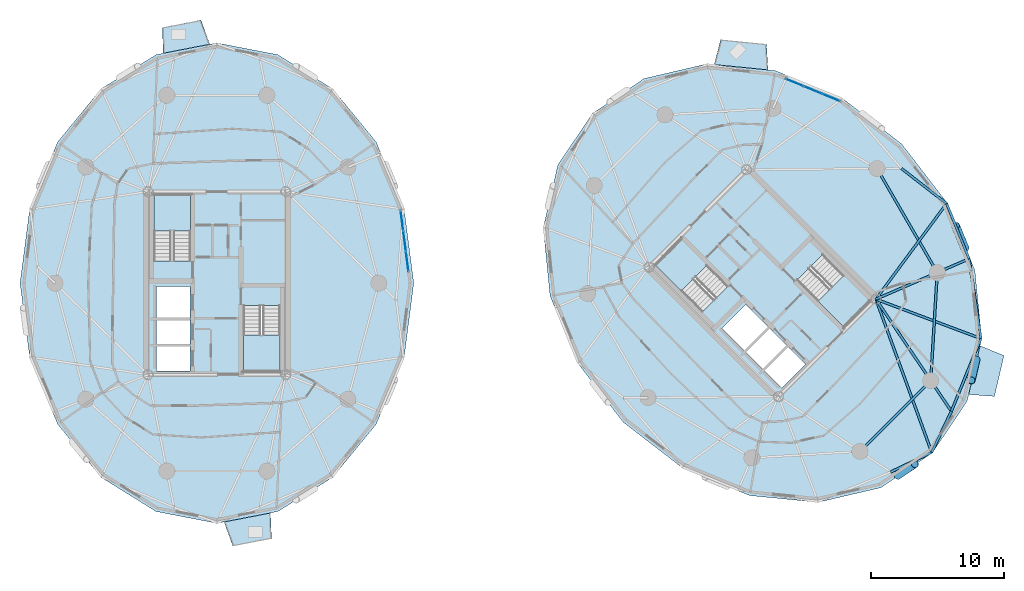
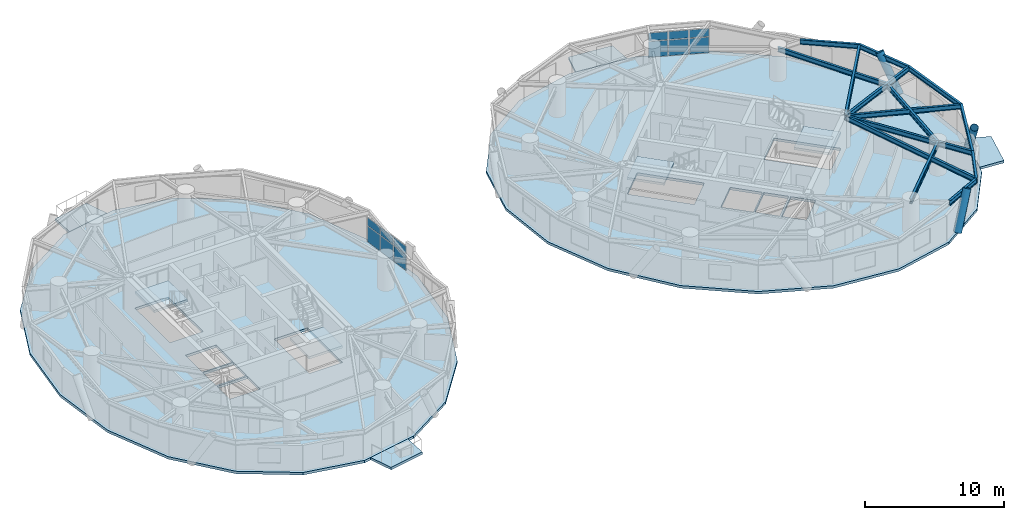
# One storey, part 7 of 17: 14 beams, 12 plates, 10 slabs, 3 members, 6 elements without a shape of their own.
"""IFC4 building model written with IfcOpenShell, lengths in metres."""

import ifcopenshell
import ifcopenshell.guid

model = None  # the IFC model being written
_history = None  # IfcOwnerHistory: only IFC2X3 demands one
_inside = {}  # id of a spatial element -> (the spatial element, [elements in it])
_under = {}  # id of a project, library or spatial element -> (it, [spatial elements below it])
_declared = {}  # id of a project -> (the project, [libraries it declares])
_typed = {}  # id of a type object -> (the type object, [elements of that type])
_made_of = {}  # id of a material, layer set ... -> (it, [elements and type objects made of it])


def new_model(schema):
    """Start an empty IFC model of exactly this schema.

    Asked for "IFC4X3", IfcOpenShell would pick the latest addendum, in which some entities
    have other attributes; the version numbers below select the first issue.
    IFC2X3 requires an IfcOwnerHistory on every rooted entity: one is made here for all.
    """
    global model, _history
    if schema == "IFC4X3":
        model = ifcopenshell.file(schema_version=(4, 3, 0, 0))
    else:
        model = ifcopenshell.file(schema=schema)
    _inside.clear()
    _under.clear()
    _declared.clear()
    _typed.clear()
    _made_of.clear()
    _history = None
    if model.schema == "IFC2X3":
        org = make("IfcOrganization", Name="unknown")
        user = make(
            "IfcPersonAndOrganization",
            ThePerson=make("IfcPerson", FamilyName="unknown"),
            TheOrganization=org,
        )
        app = make(
            "IfcApplication",
            ApplicationDeveloper=org,
            Version="unknown",
            ApplicationFullName="unknown",
            ApplicationIdentifier="unknown",
        )
        _history = make(
            "IfcOwnerHistory",
            OwningUser=user,
            OwningApplication=app,
            ChangeAction="ADDED",
            CreationDate=0,
        )
    return model


def make(cls, **values):
    """One entity of the class cls with the attributes given. An attribute that is None is left unset."""
    return model.create_entity(
        cls, **{name: value for name, value in values.items() if value is not None}
    )


def rooted(cls, **values):
    """An entity with a GlobalId (a new one), such as an element, a storey or a relation."""
    return make(cls, GlobalId=ifcopenshell.guid.new(), OwnerHistory=_history, **values)


def si_unit(unit_type, name, prefix=None):
    """IfcSIUnit, for example si_unit("LENGTHUNIT", "METRE", prefix="MILLI")."""
    return make("IfcSIUnit", UnitType=unit_type, Prefix=prefix, Name=name)


def assignment(units):
    """IfcUnitAssignment: the units of a project."""
    return None if units is None else make("IfcUnitAssignment", Units=units)


def point(xyz):
    """IfcCartesianPoint."""
    return None if xyz is None else make("IfcCartesianPoint", Coordinates=xyz)


def direction(xyz):
    """IfcDirection."""
    return None if xyz is None else make("IfcDirection", DirectionRatios=xyz)


def frame(location, z_axis=None, x_axis=None):
    """IfcAxis2Placement3D, a coordinate frame: its origin and axes. An axis left out is left unset."""
    return make(
        "IfcAxis2Placement3D",
        Location=point(location),
        Axis=direction(z_axis),
        RefDirection=direction(x_axis),
    )


def frame_2d(location, x_axis=None):
    """IfcAxis2Placement2D, a coordinate frame in the plane: its origin and x axis."""
    return make(
        "IfcAxis2Placement2D", Location=point(location), RefDirection=direction(x_axis)
    )


def origin():
    """The frame at (0, 0, 0) with its axes left unset."""
    return frame((0.0, 0.0, 0.0))


def origin_2d():
    """The frame at (0, 0) in the plane with its x axis left unset."""
    return frame_2d((0.0, 0.0))


def place(relative_to, where):
    """IfcLocalPlacement: puts the frame where relative to a parent placement (None: the world)."""
    return make(
        "IfcLocalPlacement", PlacementRelTo=relative_to, RelativePlacement=where
    )


def context(
    kind, dimensions, precision=None, world=None, true_north=None, identifier=None
):
    """IfcGeometricRepresentationContext, for example the 3D "Model" context."""
    return make(
        "IfcGeometricRepresentationContext",
        ContextIdentifier=identifier,
        ContextType=kind,
        CoordinateSpaceDimension=dimensions,
        Precision=precision,
        WorldCoordinateSystem=world,
        TrueNorth=true_north,
    )


def subcontext(parent, identifier, kind, view, scale=None):
    """IfcGeometricRepresentationSubContext, for example "Body" below "Model"."""
    return make(
        "IfcGeometricRepresentationSubContext",
        ContextIdentifier=identifier,
        ContextType=kind,
        ParentContext=parent,
        TargetScale=scale,
        TargetView=view,
    )


def project(units=None, contexts=None):
    """IfcProject with its units and contexts."""
    return rooted(
        "IfcProject",
        Name="project",
        RepresentationContexts=contexts,
        UnitsInContext=assignment(units),
    )


def spatial(cls, under=None, at=None, **own):
    """A site, building, storey or space (cls), placed at a placement, below another one or the project."""
    s = rooted(cls, ObjectPlacement=at, **own)
    if under is not None:
        _under.setdefault(under.id(), (under, []))[1].append(s)
    return s


def polyline(points):
    """IfcPolyline through the points."""
    return make("IfcPolyline", Points=[point(p) for p in points])


def profile(cls, at=None, kind="AREA", **sizes):
    """A parametric profile (cls). Its sizes go by their IFC names, for example OverallWidth=200.0."""
    return make(cls, ProfileType=kind, Position=at, **sizes)


def rectangle(**sizes):
    """IfcRectangleProfileDef."""
    return profile("IfcRectangleProfileDef", **sizes)


def hollow_circle(**sizes):
    """IfcCircleHollowProfileDef."""
    return profile("IfcCircleHollowProfileDef", **sizes)


def i_section(**sizes):
    """IfcIShapeProfileDef."""
    return profile("IfcIShapeProfileDef", **sizes)


def outline(outer, holes=None, kind="AREA"):
    """IfcArbitraryClosedProfileDef: a profile drawn as a closed curve; with holes, ...WithVoids."""
    if holes is None:
        return make("IfcArbitraryClosedProfileDef", ProfileType=kind, OuterCurve=outer)
    return make(
        "IfcArbitraryProfileDefWithVoids",
        ProfileType=kind,
        OuterCurve=outer,
        InnerCurves=holes,
    )


def extrude(swept, where, along, depth):
    """IfcExtrudedAreaSolid: the profile swept, set in the frame where, extruded along a direction by depth."""
    return make(
        "IfcExtrudedAreaSolid",
        SweptArea=swept,
        Position=where,
        ExtrudedDirection=direction(along),
        Depth=depth,
    )


def shape(context_of_items, identifier, shape_type, items):
    """IfcShapeRepresentation: the items that make up one representation, for example the "Body"."""
    return make(
        "IfcShapeRepresentation",
        ContextOfItems=context_of_items,
        RepresentationIdentifier=identifier,
        RepresentationType=shape_type,
        Items=items,
    )


def source(mapping_origin, context_of_items, identifier, shape_type, items):
    """IfcRepresentationMap: a shape defined once, which mapped items show again and again."""
    return make(
        "IfcRepresentationMap",
        MappingOrigin=mapping_origin,
        MappedRepresentation=shape(context_of_items, identifier, shape_type, items),
    )


def transform(
    local_origin,
    x_axis=None,
    y_axis=None,
    z_axis=None,
    scale=None,
    scale2=None,
    scale3=None,
    uniform=True,
):
    """IfcCartesianTransformationOperator3D, or its non-uniform kind. x_axis, y_axis, z_axis: its Axis1, 2, 3."""
    if uniform:
        return make(
            "IfcCartesianTransformationOperator3D",
            Axis1=direction(x_axis),
            Axis2=direction(y_axis),
            LocalOrigin=point(local_origin),
            Scale=scale,
            Axis3=direction(z_axis),
        )
    return make(
        "IfcCartesianTransformationOperator3DnonUniform",
        Axis1=direction(x_axis),
        Axis2=direction(y_axis),
        LocalOrigin=point(local_origin),
        Scale=scale,
        Axis3=direction(z_axis),
        Scale2=scale2,
        Scale3=scale3,
    )


def mapped(mapping_source, mapping_target):
    """IfcMappedItem: shows the shape of a source again, moved by a transform."""
    return make(
        "IfcMappedItem", MappingSource=mapping_source, MappingTarget=mapping_target
    )


def material(Name=None, Category=None):
    """IfcMaterial."""
    return make("IfcMaterial", Name=Name, Category=Category)


def layer(
    of_material, thickness, ventilated=None, Name=None, Category=None, Priority=None
):
    """IfcMaterialLayer: one layer of a wall or slab, of a material (None: an air gap)."""
    return make(
        "IfcMaterialLayer",
        Material=of_material,
        LayerThickness=thickness,
        IsVentilated=ventilated,
        Name=Name,
        Category=Category,
        Priority=Priority,
    )


def layer_set(layers, Name=None):
    """IfcMaterialLayerSet."""
    return make("IfcMaterialLayerSet", MaterialLayers=layers, LayerSetName=Name)


def material_profile(
    of_material, cross_section, Name=None, Category=None, Priority=None
):
    """IfcMaterialProfile: a cross section and its material."""
    return make(
        "IfcMaterialProfile",
        Name=Name,
        Material=of_material,
        Profile=cross_section,
        Priority=Priority,
        Category=Category,
    )


def profile_set(profiles, Name=None, composite=None):
    """IfcMaterialProfileSet."""
    return make(
        "IfcMaterialProfileSet",
        Name=Name,
        MaterialProfiles=profiles,
        CompositeProfile=composite,
    )


def made_of(thing, what):
    """Note that an element or type object is made of a material, layer set ...; save() writes the relation."""
    if what is not None:
        _made_of.setdefault(what.id(), (what, []))[1].append(thing)
    return thing


def type_object(cls, material=None, **own):
    """A type object (cls), such as IfcWallType, which elements share."""
    return made_of(rooted(cls, **own), material)


def element(
    cls,
    number,
    at=None,
    inside=None,
    cuts=None,
    type_object=None,
    material=None,
    context=None,
    identifier="Body",
    shape_type=None,
    held_by="IfcProductDefinitionShape",
    body=None,
    shapes=None,
    **own,
):
    """One element of the class cls, such as IfcWall. Its Tag is "e" and its number.

    at: its placement. inside: the storey or other place that contains it. cuts: it is an
    opening in that element (IfcRelVoidsElement). A single representation is given by context,
    identifier, shape_type and body (its items); several are given by shapes. held_by: the class
    of the entity that holds the representations. save() writes the other relations.
    """
    e = rooted(cls, Tag="e%d" % number, ObjectPlacement=at, **own)
    if body is not None:
        shapes = [shape(context, identifier, shape_type, body)]
    if shapes is not None:
        e.Representation = make(held_by, Representations=shapes)
    if inside is not None:
        _inside.setdefault(inside.id(), (inside, []))[1].append(e)
    if cuts is not None:
        rooted(
            "IfcRelVoidsElement", RelatingBuildingElement=cuts, RelatedOpeningElement=e
        )
    if type_object is not None:
        _typed.setdefault(type_object.id(), (type_object, []))[1].append(e)
    return made_of(e, material)


def aggregate(whole, parts):
    """IfcRelAggregates: a whole, such as a stair, and the parts it consists of."""
    return rooted("IfcRelAggregates", RelatingObject=whole, RelatedObjects=parts)


def save(model, path):
    """Write the relations noted so far, then the file.

    IfcRelAggregates (storeys below a building ...), IfcRelContainedInSpatialStructure (elements
    in a storey), IfcRelDefinesByType, IfcRelAssociatesMaterial and IfcRelDeclares: one each for
    every whole, place, type object, material and project.
    """
    for whole, parts in _under.values():
        aggregate(whole, parts)
    for where, things in _inside.values():
        rooted(
            "IfcRelContainedInSpatialStructure",
            RelatedElements=things,
            RelatingStructure=where,
        )
    for kind, things in _typed.values():
        rooted("IfcRelDefinesByType", RelatedObjects=things, RelatingType=kind)
    for what, things in _made_of.values():
        rooted("IfcRelAssociatesMaterial", RelatedObjects=things, RelatingMaterial=what)
    for by, libraries in _declared.values():
        rooted("IfcRelDeclares", RelatingContext=by, RelatedDefinitions=libraries)
    model.write(path)


model = new_model("IFC4")

# Units and contexts
model_context = context("Model", 3, precision=1e-05, world=origin(), true_north=direction((0.0, 1.0)))
body_context = subcontext(model_context, "Body", "Model", "MODEL_VIEW")
ifc_project = project(units=[si_unit("LENGTHUNIT", "METRE"), si_unit("AREAUNIT", "SQUARE_METRE"), si_unit("VOLUMEUNIT", "CUBIC_METRE"), si_unit("PLANEANGLEUNIT", "RADIAN"), si_unit("MASSUNIT", "GRAM", prefix="KILO")], contexts=[model_context])

# Site, building, storey
site_placement = place(None, origin())
site = spatial("IfcSite", under=ifc_project, at=site_placement, CompositionType="ELEMENT")
building_placement = place(site_placement, origin())
building = spatial("IfcBuilding", under=site, at=building_placement, Name="Cununo Teusaquillo Station Towers", CompositionType="ELEMENT")
storey_placement = place(building_placement, frame((0.0, 0.0, 163.239990234375)))
storey = spatial("IfcBuildingStorey", under=building, at=storey_placement, Name="L51", CompositionType="ELEMENT", Elevation=163.239990234375)

# Beams
ifc_material_1 = material(Name="Steel ASTM A572 Grade 50", Category="steel")
ifc_material_profile_1 = material_profile(ifc_material_1, i_section(OverallWidth=0.180908203125, OverallDepth=0.4169921875, WebThickness=0.010986328125, FlangeThickness=0.018310546875, FilletRadius=0.012939453125, at=origin_2d()), Name="W16X57")
ifc_profile_set_1 = profile_set([ifc_material_profile_1], Name="Steel ASTM A572 Grade 50")
beam_type_1 = type_object("IfcBeamType", Name="BM-JOIST-1", PredefinedType="JOIST", material=ifc_profile_set_1)
beam_1_placement = place(storey_placement, frame((66.024169921875, 23.29443359375, 2.4814453125), z_axis=(0.34241791496, -0.939547748395, 0.0), x_axis=(0.939547748395, 0.34241791496, 0.0)))
element("IfcBeam", 1, at=beam_1_placement, inside=storey, type_object=beam_type_1, Name="L51 Tower B Radial Spandrel Joist V15", PredefinedType="JOIST", context=body_context, shape_type="SweptSolid", body=[
    extrude(i_section(OverallWidth=0.180908203125, OverallDepth=0.4169921875, WebThickness=0.010986328125, FlangeThickness=0.018310546875, FilletRadius=0.012939453125, at=origin_2d()), origin(), (0.0, 0.0, 1.0), 12.25634765625),
])
beam_2_placement = place(storey_placement, frame((66.024169921875, 23.29443359375, 2.4814453125), z_axis=(0.936244635323, -0.351348805076, 0.0), x_axis=(0.351348805076, 0.936244635323, 0.0)))
element("IfcBeam", 2, at=beam_2_placement, inside=storey, type_object=beam_type_1, Name="L51 Tower B Radial Spandrel Joist V17", PredefinedType="JOIST", context=body_context, shape_type="SweptSolid", body=[
    extrude(i_section(OverallWidth=0.180908203125, OverallDepth=0.4169921875, WebThickness=0.010986328125, FlangeThickness=0.018310546875, FilletRadius=0.012939453125, at=origin_2d()), origin(), (0.0, 0.0, 1.0), 8.4287109375),
])
beam_3_placement = place(storey_placement, frame((66.024169921875, 23.29443359375, 2.4814453125), z_axis=(0.594834179272, 0.803848430471, 0.0), x_axis=(-0.803848430471, 0.594834179272, 0.0)))
element("IfcBeam", 3, at=beam_3_placement, inside=storey, type_object=beam_type_1, Name="L51 Tower B Radial Spandrel Joist V19", PredefinedType="JOIST", context=body_context, shape_type="SweptSolid", body=[
    extrude(i_section(OverallWidth=0.180908203125, OverallDepth=0.4169921875, WebThickness=0.010986328125, FlangeThickness=0.018310546875, FilletRadius=0.012939453125, at=origin_2d()), origin(), (0.0, 0.0, 1.0), 8.936767578125),
])
ifc_material_2 = material(Name="Steel ASTM A572 Grade 50", Category="steel")
ifc_material_profile_2 = material_profile(ifc_material_2, i_section(OverallWidth=0.180908203125, OverallDepth=0.4169921875, WebThickness=0.010986328125, FlangeThickness=0.018310546875, FilletRadius=0.012939453125, at=origin_2d()), Name="W16X57")
ifc_profile_set_2 = profile_set([ifc_material_profile_2], Name="Steel ASTM A572 Grade 50")
beam_type_2 = type_object("IfcBeamType", Name="BM-RAD-G2", PredefinedType="BEAM", material=ifc_profile_set_2)
beam_4_placement = place(storey_placement, frame((66.024169921875, 23.29443359375, 2.4814453125), z_axis=(0.558570687133, -0.829456923219, 0.0), x_axis=(0.829456923219, 0.558570687133, 0.0)))
element("IfcBeam", 4, at=beam_4_placement, inside=storey, type_object=beam_type_2, Name="L51 Tower B Continuous Overhanging Radial Girder 09", PredefinedType="BEAM", context=body_context, shape_type="SweptSolid", body=[
    extrude(i_section(OverallWidth=0.180908203125, OverallDepth=0.4169921875, WebThickness=0.010986328125, FlangeThickness=0.018310546875, FilletRadius=0.012939453125, at=origin_2d()), origin(), (0.0, 0.0, 1.0), 10.1591796875),
])
beam_5_placement = place(storey_placement, frame((66.024169921875, 23.29443359375, 2.4814453125), z_axis=(0.917655964072, 0.397375806515, 0.0), x_axis=(-0.397375806515, 0.917655964072, 0.0)))
element("IfcBeam", 5, at=beam_5_placement, inside=storey, type_object=beam_type_2, Name="L51 Tower B Continuous Overhanging Radial Girder 10", PredefinedType="BEAM", context=body_context, shape_type="SweptSolid", body=[
    extrude(i_section(OverallWidth=0.180908203125, OverallDepth=0.4169921875, WebThickness=0.010986328125, FlangeThickness=0.018310546875, FilletRadius=0.012939453125, at=origin_2d()), origin(), (0.0, 0.0, 1.0), 7.6318359375),
])
ifc_material_3 = material(Name="Steel ASTM A572 Grade 50", Category="steel")
ifc_material_profile_3 = material_profile(ifc_material_3, i_section(OverallWidth=0.180908203125, OverallDepth=0.4169921875, WebThickness=0.010986328125, FlangeThickness=0.018310546875, FilletRadius=0.012939453125, at=origin_2d()), Name="W16X57")
ifc_profile_set_3 = profile_set([ifc_material_profile_3], Name="Steel ASTM A572 Grade 50")
beam_type_3 = type_object("IfcBeamType", Name="BM-RING-Z3", PredefinedType="SPANDREL", material=ifc_profile_set_3)
beam_6_placement = place(storey_placement, frame((64.826904296875, 11.853759765625, 2.4814453125), z_axis=(0.707106781187, 0.707106781187, 0.0), x_axis=(-0.707106781187, 0.707106781187, 0.0)))
element("IfcBeam", 6, at=beam_6_placement, inside=storey, type_object=beam_type_3, Name="L51 Tower B Structural Column Ring Girder 08", PredefinedType="SPANDREL", context=body_context, shape_type="SweptSolid", body=[
    extrude(i_section(OverallWidth=0.180908203125, OverallDepth=0.4169921875, WebThickness=0.010986328125, FlangeThickness=0.018310546875, FilletRadius=0.012939453125, at=origin_2d()), origin(), (0.0, 0.0, 1.0), 7.522705078125),
])
beam_7_placement = place(storey_placement, frame((70.146240234375, 17.173095703125, 2.4814453125), z_axis=(0.06012979176, 0.998190567048, 0.0), x_axis=(-0.998190567048, 0.06012979176, 0.0)))
element("IfcBeam", 7, at=beam_7_placement, inside=storey, type_object=beam_type_3, Name="L51 Tower B Structural Column Ring Girder 09", PredefinedType="SPANDREL", context=body_context, shape_type="SweptSolid", body=[
    extrude(i_section(OverallWidth=0.180908203125, OverallDepth=0.4169921875, WebThickness=0.010986328125, FlangeThickness=0.018310546875, FilletRadius=0.012939453125, at=origin_2d()), origin(), (0.0, 0.0, 1.0), 8.132568359375),
])
beam_8_placement = place(storey_placement, frame((70.63525390625, 25.291015625, 2.4814453125), z_axis=(-0.501311121078, 0.865267103202, 0.0), x_axis=(-0.865267103202, -0.501311121078, 0.0)))
element("IfcBeam", 8, at=beam_8_placement, inside=storey, type_object=beam_type_3, Name="L51 Tower B Structural Column Ring Girder 10", PredefinedType="SPANDREL", context=body_context, shape_type="SweptSolid", body=[
    extrude(i_section(OverallWidth=0.180908203125, OverallDepth=0.4169921875, WebThickness=0.010986328125, FlangeThickness=0.018310546875, FilletRadius=0.012939453125, at=origin_2d()), origin(), (0.0, 0.0, 1.0), 9.032958984375),
])
for number, where, z_axis, x_axis, name in (
    (9, (67.132080078125, 10.30126953125, 2.4814453125), (0.902077503555, 0.431574069634, 0.0), (-0.431574069634, 0.902077503555, 0.0), "L51 Tower B Spandrel Ring Beam 15"),
    (10, (70.220947265625, 11.779052734375, 2.4814453125), (0.431574069634, 0.902077503555, 0.0), (-0.902077503555, 0.431574069634, 0.0), "L51 Tower B Spandrel Ring Beam 16"),
):
    element("IfcBeam", number, at=place(storey_placement, frame(where, z_axis=z_axis, x_axis=x_axis)), inside=storey, type_object=beam_type_3, Name=name, PredefinedType="SPANDREL", context=body_context, shape_type="SweptSolid", body=[
        extrude(i_section(OverallWidth=0.180908203125, OverallDepth=0.4169921875, WebThickness=0.010986328125, FlangeThickness=0.018310546875, FilletRadius=0.012939453125, at=origin_2d()), origin(), (0.0, 0.0, 1.0), 3.424072265625),
    ])
beam_9_placement = place(storey_placement, frame((71.69873046875, 14.867919921875, 2.4814453125), z_axis=(0.375882869104, 0.926667183359, 0.0), x_axis=(-0.926667183359, 0.375882869104, 0.0)))
element("IfcBeam", 11, at=beam_9_placement, inside=storey, type_object=beam_type_3, Name="L51 Tower B Spandrel Ring Beam 17", PredefinedType="SPANDREL", context=body_context, shape_type="SweptSolid", body=[
    extrude(i_section(OverallWidth=0.180908203125, OverallDepth=0.4169921875, WebThickness=0.010986328125, FlangeThickness=0.018310546875, FilletRadius=0.012939453125, at=origin_2d()), origin(), (0.0, 0.0, 1.0), 5.8974609375),
])
beam_10_placement = place(storey_placement, frame((73.91552734375, 20.3330078125, 2.4814453125), z_axis=(-0.146535519435, 0.989205409176, 0.0), x_axis=(-0.989205409176, -0.146535519435, 0.0)))
element("IfcBeam", 12, at=beam_10_placement, inside=storey, type_object=beam_type_3, Name="L51 Tower B Spandrel Ring Beam 18", PredefinedType="SPANDREL", context=body_context, shape_type="SweptSolid", body=[
    extrude(i_section(OverallWidth=0.180908203125, OverallDepth=0.4169921875, WebThickness=0.010986328125, FlangeThickness=0.018310546875, FilletRadius=0.012939453125, at=origin_2d()), origin(), (0.0, 0.0, 1.0), 6.0595703125),
])
beam_11_placement = place(storey_placement, frame((73.027587890625, 26.3271484375, 2.4814453125), z_axis=(-0.376588942192, 0.926380466449, 0.0), x_axis=(-0.926380466449, -0.376588942192, 0.0)))
element("IfcBeam", 13, at=beam_11_placement, inside=storey, type_object=beam_type_3, Name="L51 Tower B Spandrel Ring Beam 19", PredefinedType="SPANDREL", context=body_context, shape_type="SweptSolid", body=[
    extrude(i_section(OverallWidth=0.180908203125, OverallDepth=0.4169921875, WebThickness=0.010986328125, FlangeThickness=0.018310546875, FilletRadius=0.012939453125, at=origin_2d()), origin(), (0.0, 0.0, 1.0), 4.48095703125),
])
beam_12_placement = place(storey_placement, frame((71.340087890625, 30.478271484375, 2.4814453125), z_axis=(-0.789900716386, 0.613234749711, 0.0), x_axis=(-0.613234749711, -0.789900716386, 0.0)))
element("IfcBeam", 14, at=beam_12_placement, inside=storey, type_object=beam_type_3, Name="L51 Tower B Spandrel Ring Beam 20", PredefinedType="SPANDREL", context=body_context, shape_type="SweptSolid", body=[
    extrude(i_section(OverallWidth=0.180908203125, OverallDepth=0.4169921875, WebThickness=0.010986328125, FlangeThickness=0.018310546875, FilletRadius=0.012939453125, at=origin_2d()), origin(), (0.0, 0.0, 1.0), 4.3115234375),
])

# Members
ifc_material_4 = material(Name="Steel EN 10025-2 S355J2", Category="steel")
ifc_material_profile_4 = material_profile(ifc_material_4, hollow_circle(Radius=0.304931640625, WallThickness=0.02001953125, at=origin_2d()), Name="CHS 610x20")
ifc_profile_set_4 = profile_set([ifc_material_profile_4], Name="Steel EN 10025-2 S355J2")
member_type = type_object("IfcMemberType", Name="MBR-DIAG-Z3", PredefinedType="BRACE", material=ifc_profile_set_4)
member_1_placement = place(storey_placement, frame((67.6591796875, 10.047607421875, -0.139892578125), z_axis=(0.388754467899, 0.262726004035, 0.883088336743), x_axis=(-0.559936520368, 0.828535511103, 0.0)))
element("IfcMember", 15, at=member_1_placement, inside=storey, type_object=member_type, Name="L51 Tower B Folded-Zigzag Diagrid Tube C14", PredefinedType="BRACE", context=body_context, shape_type="SweptSolid", body=[
    extrude(hollow_circle(Radius=0.304931640625, WallThickness=0.02001953125, at=origin_2d()), origin(), (0.0, 0.0, 1.0), 3.295166015625),
])
member_2_placement = place(storey_placement, frame((73.5498046875, 18.762451171875, -0.139892578125), z_axis=(-0.110002817, -0.472080134599, 0.874665494214), x_axis=(0.973909284725, -0.226937667931, 0.0)))
element("IfcMember", 16, at=member_2_placement, inside=storey, type_object=member_type, Name="L51 Tower B Folded-Zigzag Diagrid Tube C16", PredefinedType="BRACE", context=body_context, shape_type="SweptSolid", body=[
    extrude(hollow_circle(Radius=0.304931640625, WallThickness=0.02001953125, at=origin_2d()), origin(), (0.0, 0.0, 1.0), 3.326904296875),
])
member_3_placement = place(storey_placement, frame((72.7177734375, 27.127685546875, -0.139892578125), z_axis=(-0.200933037955, 0.48876373855, 0.848961672949), x_axis=(-0.924892888936, -0.380227752796, 0.0)))
element("IfcMember", 17, at=member_3_placement, inside=storey, type_object=member_type, Name="L51 Tower B Folded-Zigzag Diagrid Tube C18", PredefinedType="BRACE", context=body_context, shape_type="SweptSolid", body=[
    extrude(hollow_circle(Radius=0.304931640625, WallThickness=0.02001953125, at=origin_2d()), origin(), (0.0, 0.0, 1.0), 3.427734375),
])

# Slabs
ifc_material_5 = material(Name="Concrete C50/60", Category="concrete")
ifc_layer_1 = layer(ifc_material_5, 0.2099609375)
ifc_layer_set_1 = layer_set([ifc_layer_1], Name="Concrete C50/60")
slab_type_1 = type_object("IfcSlabType", Name="SLB-BAL-210", PredefinedType="FLOOR", material=ifc_layer_set_1)
slab_1_placement = place(storey_placement, frame((0.0, 0.0, -0.2099609375)))
element("IfcSlab", 18, at=slab_1_placement, inside=storey, type_object=slab_type_1, Name="L51 Tower A Tree Balcony Slab 1", PredefinedType="FLOOR", context=body_context, shape_type="SweptSolid", body=[
    extrude(outline(polyline([(15.958984375, 42.45068359375), (12.46728515625, 41.77587890625), (12.3984375, 43.712890625), (15.30126953125, 44.27392578125), (15.958984375, 42.45068359375)])), origin(), (0.0, 0.0, 1.0), 0.2099609375),
])
slab_2_placement = place(storey_placement, frame((0.0, 0.0, -0.2099609375)))
element("IfcSlab", 19, at=slab_2_placement, inside=storey, type_object=slab_type_1, Name="L51 Tower A Tree Balcony Slab 2", PredefinedType="FLOOR", context=body_context, shape_type="SweptSolid", body=[
    extrude(outline(polyline([(17.041015625, 6.54931640625), (20.53271484375, 7.22412109375), (20.6015625, 5.287109375), (17.69873046875, 4.72607421875), (17.041015625, 6.54931640625)])), origin(), (0.0, 0.0, 1.0), 0.2099609375),
])
slab_3_placement = place(storey_placement, frame((0.0, 0.0, -0.2099609375)))
element("IfcSlab", 20, at=slab_3_placement, inside=storey, type_object=slab_type_1, Name="L51 Tower B Tree Balcony Slab 1", PredefinedType="FLOOR", context=body_context, shape_type="SweptSolid", body=[
    extrude(outline(polyline([(57.914794921875, 40.52490234375), (53.871337890625, 40.92578125), (54.358642578125, 42.8017578125), (57.80517578125, 42.460205078125), (57.914794921875, 40.52490234375)])), origin(), (0.0, 0.0, 1.0), 0.2099609375),
])
slab_4_placement = place(storey_placement, frame((0.0, 0.0, -0.2099609375)))
element("IfcSlab", 21, at=slab_4_placement, inside=storey, type_object=slab_type_1, Name="L51 Tower B Tree Balcony Slab 2", PredefinedType="FLOOR", context=body_context, shape_type="SweptSolid", body=[
    extrude(outline(polyline([(73.001220703125, 16.128662109375), (73.854736328125, 19.78662109375), (75.651611328125, 19.059326171875), (74.934326171875, 15.985595703125), (73.001220703125, 16.128662109375)])), origin(), (0.0, 0.0, 1.0), 0.2099609375),
])

# Stair, slab
ifc_material_6 = material(Name="Concrete C50/60", Category="concrete")
stair_type = type_object("IfcStairType", Name="ST-TWR-1300", PredefinedType="HALF_TURN_STAIR", material=ifc_material_6)
stair_1_placement = place(storey_placement, origin())
stair_1 = element("IfcStair", 22, at=stair_1_placement, inside=storey, type_object=stair_type, Name="L51 Tower A Protected Core Exit Stair 1", PredefinedType="HALF_TURN_STAIR")
ifc_material_7 = material(Name="Concrete C50/60", Category="concrete")
ifc_layer_2 = layer(ifc_material_7, 0.199951171875)
ifc_layer_set_2 = layer_set([ifc_layer_2], Name="Concrete C50/60")
slab_type_2 = type_object("IfcSlabType", Name="SLB-STAIR-LND", PredefinedType="LANDING", material=ifc_layer_set_2)
slab_5_placement = place(storey_placement, frame((0.0, 0.0, 1.255126953125)))
slab_5 = element("IfcSlab", 23, at=slab_5_placement, type_object=slab_type_2, Name="ST-T1-1 landing 1", PredefinedType="LANDING", context=body_context, shape_type="SweptSolid", body=[
    extrude(outline(polyline([(14.52001953125, 28.409912109375), (14.52001953125, 31.159912109375), (11.760009765625, 31.159912109375), (11.760009765625, 28.409912109375), (14.52001953125, 28.409912109375)])), origin(), (0.0, 0.0, 1.0), 0.199951171875),
])
aggregate(stair_1, [slab_5])

stair_2_placement = place(storey_placement, origin())
stair_2 = element("IfcStair", 24, at=stair_2_placement, inside=storey, type_object=stair_type, Name="L51 Tower A Protected Core Exit Stair 2", PredefinedType="HALF_TURN_STAIR")
slab_6_placement = place(storey_placement, frame((0.0, 0.0, 1.255126953125)))
slab_6 = element("IfcSlab", 25, at=slab_6_placement, type_object=slab_type_2, Name="ST-T1-2 landing 1", PredefinedType="LANDING", context=body_context, shape_type="SweptSolid", body=[
    extrude(outline(polyline([(18.47998046875, 20.590087890625), (18.47998046875, 17.840087890625), (21.239990234375, 17.840087890625), (21.239990234375, 20.590087890625), (18.47998046875, 20.590087890625)])), origin(), (0.0, 0.0, 1.0), 0.199951171875),
])
aggregate(stair_2, [slab_6])

stair_3_placement = place(storey_placement, origin())
stair_3 = element("IfcStair", 26, at=stair_3_placement, inside=storey, type_object=stair_type, Name="L51 Tower B Protected Core Exit Stair 1", PredefinedType="HALF_TURN_STAIR")
slab_7_placement = place(storey_placement, frame((0.0, 0.0, 1.255126953125)))
slab_7 = element("IfcSlab", 27, at=slab_7_placement, type_object=slab_type_2, Name="ST-T2-1 landing 1", PredefinedType="LANDING", context=body_context, shape_type="SweptSolid", body=[
    extrude(outline(polyline([(53.335205078125, 25.86474609375), (51.390625, 27.809326171875), (49.43896484375, 25.857666015625), (51.383544921875, 23.9130859375), (53.335205078125, 25.86474609375)])), origin(), (0.0, 0.0, 1.0), 0.199951171875),
])
aggregate(stair_3, [slab_7])

stair_4_placement = place(storey_placement, origin())
stair_4 = element("IfcStair", 28, at=stair_4_placement, inside=storey, type_object=stair_type, Name="L51 Tower B Protected Core Exit Stair 2", PredefinedType="HALF_TURN_STAIR")
slab_8_placement = place(storey_placement, frame((0.0, 0.0, 1.255126953125)))
slab_8 = element("IfcSlab", 29, at=slab_8_placement, type_object=slab_type_2, Name="ST-T2-2 landing 1", PredefinedType="LANDING", context=body_context, shape_type="SweptSolid", body=[
    extrude(outline(polyline([(61.664794921875, 23.13525390625), (63.609375, 21.190673828125), (65.56103515625, 23.142333984375), (63.616455078125, 25.0869140625), (61.664794921875, 23.13525390625)])), origin(), (0.0, 0.0, 1.0), 0.199951171875),
])
aggregate(stair_4, [slab_8])

# Slabs
ifc_material_8 = material(Name="Concrete C40/50", Category="concrete")
ifc_layer_3 = layer(ifc_material_8, 0.219970703125)
ifc_layer_set_3 = layer_set([ifc_layer_3], Name="Concrete C40/50")
slab_type_3 = type_object("IfcSlabType", Name="SLB-Z3-220", PredefinedType="FLOOR", material=ifc_layer_set_3)
slab_9_placement = place(storey_placement, frame((0.0, 0.0, -0.219970703125)))
element("IfcSlab", 30, at=slab_9_placement, inside=storey, type_object=slab_type_3, Name="L51 Tower A Floor Slab", PredefinedType="FLOOR", context=body_context, shape_type="SweptSolid", body=[
    extrude(outline(polyline([(31.294921875, 24.5), (30.57080078125, 30.077880859375), (28.469482421875, 35.109619140625), (25.1962890625, 39.102783203125), (21.072021484375, 41.66650390625), (16.5, 42.550048828125), (11.927978515625, 41.66650390625), (7.8037109375, 39.102783203125), (4.530517578125, 35.109619140625), (2.42919921875, 30.077880859375), (1.705078125, 24.5), (2.42919921875, 18.922119140625), (4.530517578125, 13.890380859375), (7.8037109375, 9.897216796875), (11.927978515625, 7.33349609375), (16.5, 6.449951171875), (21.072021484375, 7.33349609375), (25.1962890625, 9.897216796875), (28.469482421875, 13.890380859375), (30.57080078125, 18.922119140625), (31.294921875, 24.5)]), holes=[polyline([(14.52001953125, 26.176025390625), (14.52001953125, 31.159912109375), (11.760009765625, 31.159912109375), (11.760009765625, 26.176025390625), (14.52001953125, 26.176025390625)]), polyline([(18.47998046875, 22.823974609375), (18.47998046875, 17.840087890625), (21.239990234375, 17.840087890625), (21.239990234375, 22.823974609375), (18.47998046875, 22.823974609375)]), polyline([(11.949951171875, 21.85009765625), (14.47998046875, 21.85009765625), (14.47998046875, 24.25), (11.949951171875, 24.25), (11.949951171875, 21.85009765625)]), polyline([(11.949951171875, 17.89990234375), (14.47998046875, 17.89990234375), (14.47998046875, 19.75), (11.949951171875, 19.75), (11.949951171875, 17.89990234375)]), polyline([(11.949951171875, 19.89990234375), (14.47998046875, 19.89990234375), (14.47998046875, 21.75), (11.949951171875, 21.75), (11.949951171875, 19.89990234375)])]), origin(), (0.0, 0.0, 1.0), 0.219970703125),
])
slab_10_placement = place(storey_placement, frame((0.0, 0.0, -0.219970703125)))
element("IfcSlab", 31, at=slab_10_placement, inside=storey, type_object=slab_type_3, Name="L51 Tower B Floor Slab", PredefinedType="FLOOR", context=body_context, shape_type="SweptSolid", body=[
    extrude(outline(polyline([(67.961669921875, 34.961669921875), (63.505615234375, 38.393798828125), (58.461669921875, 40.4658203125), (53.323486328125, 40.97509765625), (48.59423828125, 39.871337890625), (44.73681640625, 37.26318359375), (42.128662109375, 33.40576171875), (41.02490234375, 28.676513671875), (41.5341796875, 23.538330078125), (43.606201171875, 18.494384765625), (47.038330078125, 14.038330078125), (51.494384765625, 10.606201171875), (56.538330078125, 8.5341796875), (61.676513671875, 8.02490234375), (66.40576171875, 9.128662109375), (70.26318359375, 11.73681640625), (72.871337890625, 15.59423828125), (73.97509765625, 20.323486328125), (73.4658203125, 25.461669921875), (71.393798828125, 30.505615234375), (67.961669921875, 34.961669921875)]), holes=[polyline([(54.914794921875, 24.28515625), (51.390625, 27.809326171875), (49.43896484375, 25.857666015625), (52.963134765625, 22.33349609375), (54.914794921875, 24.28515625)]), polyline([(60.085205078125, 24.71484375), (63.609375, 21.190673828125), (65.56103515625, 23.142333984375), (62.036865234375, 26.66650390625), (60.085205078125, 24.71484375)]), polyline([(56.156494140625, 19.40869140625), (57.945556640625, 21.19775390625), (56.248291015625, 22.89501953125), (54.45947265625, 21.10595703125), (56.156494140625, 19.40869140625)]), polyline([(58.94970703125, 16.61572265625), (60.738525390625, 18.40478515625), (59.430419921875, 19.712890625), (57.641357421875, 17.923828125), (58.94970703125, 16.61572265625)]), polyline([(57.535400390625, 18.030029296875), (59.32421875, 19.819091796875), (58.01611328125, 21.127197265625), (56.227294921875, 19.338134765625), (57.535400390625, 18.030029296875)])]), origin(), (0.0, 0.0, 1.0), 0.219970703125),
])

# Curtain wall, plates
ifc_material_9 = material(Name="Operable acoustic tinted low-E double glazing", Category="glass")
ifc_layer_4 = layer(ifc_material_9, 0.179931640625)
ifc_layer_set_4 = layer_set([ifc_layer_4], Name="Operable acoustic tinted low-E double glazing")
curtain_wall_type = type_object("IfcCurtainWallType", Name="CW-SYS-06", PredefinedType="USERDEFINED", material=ifc_layer_set_4)
curtain_wall_1_placement = place(storey_placement, origin())
curtain_wall_1 = element("IfcCurtainWall", 32, at=curtain_wall_1_placement, inside=storey, type_object=curtain_wall_type, Name="L51 Tower A Facade Curtain Wall C00", ObjectType="OPERABLE GLAZING", PredefinedType="USERDEFINED")
ifc_material_10 = material(Name="Operable acoustic tinted low-E double glazing", Category="glass")
ifc_layer_5 = layer(ifc_material_10, 0.031982421875)
ifc_layer_set_5 = layer_set([ifc_layer_5], Name="Operable acoustic tinted low-E double glazing")
plate_type = type_object("IfcPlateType", Name="CWP-OPER-32", PredefinedType="CURTAIN_PANEL", material=ifc_layer_set_5)
shared_shape_1 = source(origin(), body_context, "Body", "SweptSolid", [
    extrude(rectangle(XDim=1.46484375, YDim=0.031982421875, at=origin_2d()), origin(), (0.0, 0.0, 1.0), 1.361572265625),
])
plate_1_placement = place(storey_placement, frame((30.406982421875, 29.200439453125, 0.06494140625), z_axis=(0.0, 0.0, 1.0), x_axis=(0.128292898403, -0.991736321922, 0.0)))
plate_1 = element("IfcPlate", 33, at=plate_1_placement, type_object=plate_type, Name="CW-06 panel 1.1", PredefinedType="CURTAIN_PANEL", context=body_context, shape_type="MappedRepresentation", body=[
    mapped(shared_shape_1, transform((0.0, 0.0, 0.0), x_axis=(1.0, 0.0, 0.0), y_axis=(0.0, 1.0, 0.0), z_axis=(0.0, 0.0, 1.0), scale=1.0)),
])
plate_2_placement = place(storey_placement, frame((30.8037109375, 26.1337890625, 0.06494140625), z_axis=(0.0, 0.0, 1.0), x_axis=(0.128292898403, -0.991736321922, 0.0)))
plate_2 = element("IfcPlate", 34, at=plate_2_placement, type_object=plate_type, Name="CW-06 panel 3.1", PredefinedType="CURTAIN_PANEL", context=body_context, shape_type="MappedRepresentation", body=[
    mapped(shared_shape_1, transform((0.0, 0.0, 0.0), x_axis=(1.0, 0.0, 0.0), y_axis=(0.0, 1.0, 0.0), z_axis=(0.0, 0.0, 1.0), scale=1.0)),
])
shared_shape_2 = source(origin(), body_context, "Body", "SweptSolid", [
    extrude(rectangle(XDim=1.46484375, YDim=0.031982421875, at=origin_2d()), origin(), (0.0, 0.0, 1.0), 0.6884765625),
])
plate_3_placement = place(storey_placement, frame((30.406982421875, 29.200439453125, 1.491455078125), z_axis=(0.0, 0.0, 1.0), x_axis=(0.128292898403, -0.991736321922, 0.0)))
plate_3 = element("IfcPlate", 35, at=plate_3_placement, type_object=plate_type, Name="CW-06 panel 1.2", PredefinedType="CURTAIN_PANEL", context=body_context, shape_type="MappedRepresentation", body=[
    mapped(shared_shape_2, transform((0.0, 0.0, 0.0), x_axis=(1.0, 0.0, 0.0), y_axis=(0.0, 1.0, 0.0), z_axis=(0.0, 0.0, 1.0), scale=1.0)),
])
plate_4_placement = place(storey_placement, frame((30.8037109375, 26.1337890625, 1.491455078125), z_axis=(0.0, 0.0, 1.0), x_axis=(0.128292898403, -0.991736321922, 0.0)))
plate_4 = element("IfcPlate", 36, at=plate_4_placement, type_object=plate_type, Name="CW-06 panel 3.2", PredefinedType="CURTAIN_PANEL", context=body_context, shape_type="MappedRepresentation", body=[
    mapped(shared_shape_2, transform((0.0, 0.0, 0.0), x_axis=(1.0, 0.0, 0.0), y_axis=(0.0, 1.0, 0.0), z_axis=(0.0, 0.0, 1.0), scale=1.0)),
])
shared_shape_3 = source(origin(), body_context, "Body", "SweptSolid", [
    extrude(rectangle(XDim=1.497314453125, YDim=0.031982421875, at=origin_2d()), origin(), (0.0, 0.0, 1.0), 1.361572265625),
])
plate_5_placement = place(storey_placement, frame((30.605224609375, 27.6669921875, 0.06494140625), z_axis=(0.0, 0.0, 1.0), x_axis=(0.128292898403, -0.991736321922, 0.0)))
plate_5 = element("IfcPlate", 37, at=plate_5_placement, type_object=plate_type, Name="CW-06 panel 2.1", PredefinedType="CURTAIN_PANEL", context=body_context, shape_type="MappedRepresentation", body=[
    mapped(shared_shape_3, transform((0.0, 0.0, 0.0), x_axis=(1.0, 0.0, 0.0), y_axis=(0.0, 1.0, 0.0), z_axis=(0.0, 0.0, 1.0), scale=1.0)),
])
shared_shape_4 = source(origin(), body_context, "Body", "SweptSolid", [
    extrude(rectangle(XDim=1.497314453125, YDim=0.031982421875, at=origin_2d()), origin(), (0.0, 0.0, 1.0), 0.6884765625),
])
plate_6_placement = place(storey_placement, frame((30.605224609375, 27.6669921875, 1.491455078125), z_axis=(0.0, 0.0, 1.0), x_axis=(0.128292898403, -0.991736321922, 0.0)))
plate_6 = element("IfcPlate", 38, at=plate_6_placement, type_object=plate_type, Name="CW-06 panel 2.2", PredefinedType="CURTAIN_PANEL", context=body_context, shape_type="MappedRepresentation", body=[
    mapped(shared_shape_4, transform((0.0, 0.0, 0.0), x_axis=(1.0, 0.0, 0.0), y_axis=(0.0, 1.0, 0.0), z_axis=(0.0, 0.0, 1.0), scale=1.0)),
])
aggregate(curtain_wall_1, [plate_1, plate_3, plate_5, plate_6, plate_2, plate_4])

curtain_wall_2_placement = place(storey_placement, origin())
curtain_wall_2 = element("IfcCurtainWall", 39, at=curtain_wall_2_placement, inside=storey, type_object=curtain_wall_type, Name="L51 Tower B Facade Curtain Wall C01", ObjectType="OPERABLE GLAZING", PredefinedType="USERDEFINED")
shared_shape_5 = source(origin(), body_context, "Body", "SweptSolid", [
    extrude(rectangle(XDim=1.40771484375, YDim=0.031982421875, at=origin_2d()), origin(), (0.0, 0.0, 1.0), 1.361572265625),
])
plate_7_placement = place(storey_placement, frame((59.91455078125, 39.572265625, 0.06494140625), z_axis=(0.0, 0.0, 1.0), x_axis=(0.924524840588, -0.381121790423, 0.0)))
plate_7 = element("IfcPlate", 40, at=plate_7_placement, type_object=plate_type, Name="CW-06 panel 1.1", PredefinedType="CURTAIN_PANEL", context=body_context, shape_type="MappedRepresentation", body=[
    mapped(shared_shape_5, transform((0.0, 0.0, 0.0), x_axis=(1.0, 0.0, 0.0), y_axis=(0.0, 1.0, 0.0), z_axis=(0.0, 0.0, 1.0), scale=1.0)),
])
plate_8_placement = place(storey_placement, frame((62.667724609375, 38.437255859375, 0.06494140625), z_axis=(0.0, 0.0, 1.0), x_axis=(0.924524840588, -0.381121790423, 0.0)))
plate_8 = element("IfcPlate", 41, at=plate_8_placement, type_object=plate_type, Name="CW-06 panel 3.1", PredefinedType="CURTAIN_PANEL", context=body_context, shape_type="MappedRepresentation", body=[
    mapped(shared_shape_5, transform((0.0, 0.0, 0.0), x_axis=(1.0, 0.0, 0.0), y_axis=(0.0, 1.0, 0.0), z_axis=(0.0, 0.0, 1.0), scale=1.0)),
])
shared_shape_6 = source(origin(), body_context, "Body", "SweptSolid", [
    extrude(rectangle(XDim=1.40771484375, YDim=0.031982421875, at=origin_2d()), origin(), (0.0, 0.0, 1.0), 0.6884765625),
])
plate_9_placement = place(storey_placement, frame((59.91455078125, 39.572265625, 1.491455078125), z_axis=(0.0, 0.0, 1.0), x_axis=(0.924524840588, -0.381121790423, 0.0)))
plate_9 = element("IfcPlate", 42, at=plate_9_placement, type_object=plate_type, Name="CW-06 panel 1.2", PredefinedType="CURTAIN_PANEL", context=body_context, shape_type="MappedRepresentation", body=[
    mapped(shared_shape_6, transform((0.0, 0.0, 0.0), x_axis=(1.0, 0.0, 0.0), y_axis=(0.0, 1.0, 0.0), z_axis=(0.0, 0.0, 1.0), scale=1.0)),
])
plate_10_placement = place(storey_placement, frame((62.667724609375, 38.437255859375, 1.491455078125), z_axis=(0.0, 0.0, 1.0), x_axis=(0.924524840588, -0.381121790423, 0.0)))
plate_10 = element("IfcPlate", 43, at=plate_10_placement, type_object=plate_type, Name="CW-06 panel 3.2", PredefinedType="CURTAIN_PANEL", context=body_context, shape_type="MappedRepresentation", body=[
    mapped(shared_shape_6, transform((0.0, 0.0, 0.0), x_axis=(1.0, 0.0, 0.0), y_axis=(0.0, 1.0, 0.0), z_axis=(0.0, 0.0, 1.0), scale=1.0)),
])
shared_shape_7 = source(origin(), body_context, "Body", "SweptSolid", [
    extrude(rectangle(XDim=1.440185546875, YDim=0.031982421875, at=origin_2d()), origin(), (0.0, 0.0, 1.0), 1.361572265625),
])
plate_11_placement = place(storey_placement, frame((61.291015625, 39.004638671875, 0.06494140625), z_axis=(0.0, 0.0, 1.0), x_axis=(0.924524840588, -0.381121790423, 0.0)))
plate_11 = element("IfcPlate", 44, at=plate_11_placement, type_object=plate_type, Name="CW-06 panel 2.1", PredefinedType="CURTAIN_PANEL", context=body_context, shape_type="MappedRepresentation", body=[
    mapped(shared_shape_7, transform((0.0, 0.0, 0.0), x_axis=(1.0, 0.0, 0.0), y_axis=(0.0, 1.0, 0.0), z_axis=(0.0, 0.0, 1.0), scale=1.0)),
])
shared_shape_8 = source(origin(), body_context, "Body", "SweptSolid", [
    extrude(rectangle(XDim=1.440185546875, YDim=0.031982421875, at=origin_2d()), origin(), (0.0, 0.0, 1.0), 0.6884765625),
])
plate_12_placement = place(storey_placement, frame((61.291015625, 39.004638671875, 1.491455078125), z_axis=(0.0, 0.0, 1.0), x_axis=(0.924524840588, -0.381121790423, 0.0)))
plate_12 = element("IfcPlate", 45, at=plate_12_placement, type_object=plate_type, Name="CW-06 panel 2.2", PredefinedType="CURTAIN_PANEL", context=body_context, shape_type="MappedRepresentation", body=[
    mapped(shared_shape_8, transform((0.0, 0.0, 0.0), x_axis=(1.0, 0.0, 0.0), y_axis=(0.0, 1.0, 0.0), z_axis=(0.0, 0.0, 1.0), scale=1.0)),
])
aggregate(curtain_wall_2, [plate_7, plate_9, plate_11, plate_12, plate_8, plate_10])

save(model, "model.ifc")
